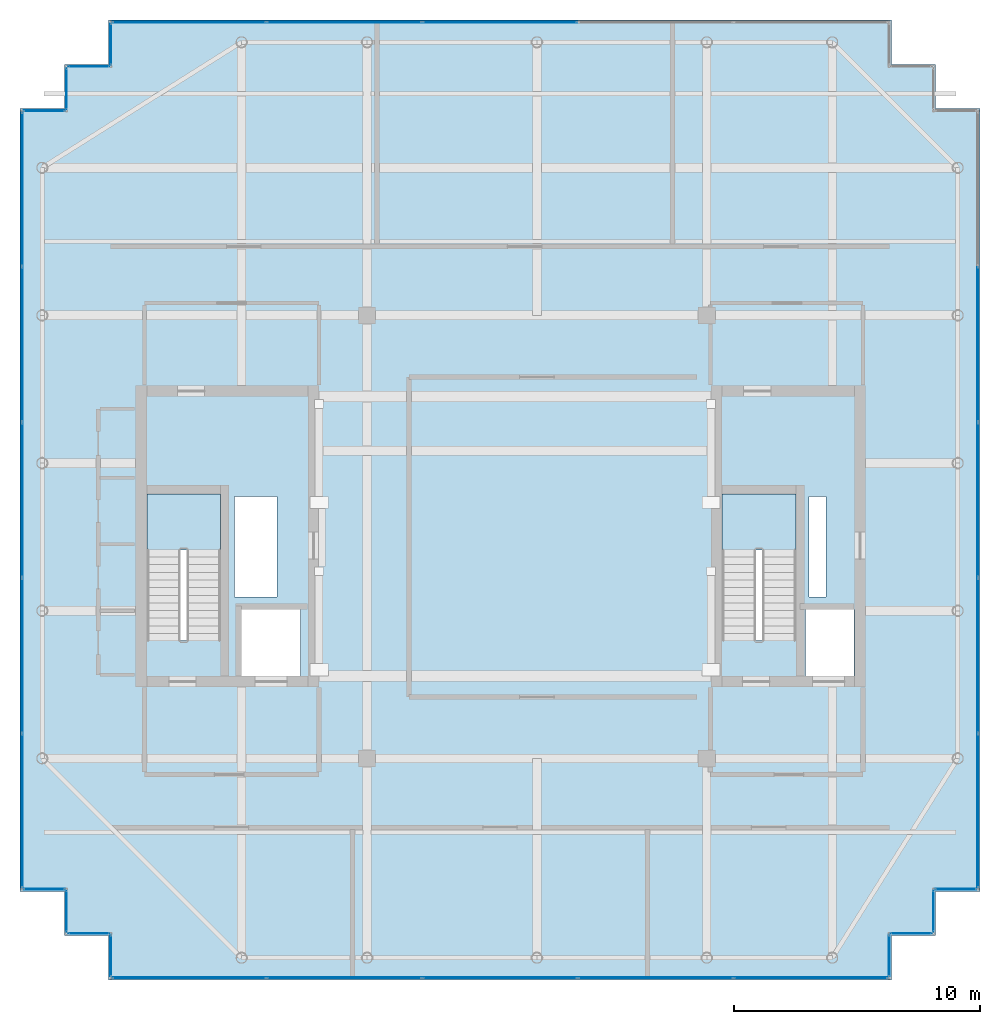
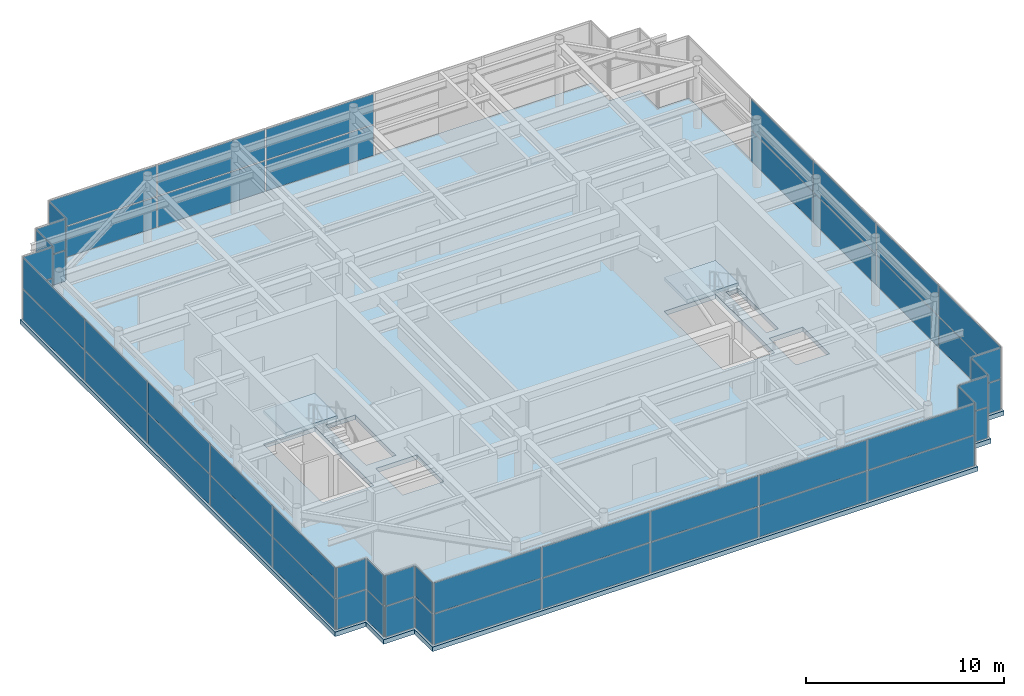
# One storey, part 29 of 33: 58 plates, 3 slabs, 18 elements without a shape of their own.
"""IFC4 building model written with IfcOpenShell, lengths in metres."""

from ifc_helpers import new_model, si_unit, direction, frame, origin, origin_2d, place, context, subcontext, project, spatial, polyline, rectangle, outline, extrude, source, transform, mapped, material, layer, layer_set, type_object, element, aggregate, save


model = new_model("IFC4")

# Units and contexts
model_context = context("Model", 3, precision=1e-05, world=origin(), true_north=direction((0.0, 1.0)))
body_context = subcontext(model_context, "Body", "Model", "MODEL_VIEW")
ifc_project = project(units=[si_unit("LENGTHUNIT", "METRE"), si_unit("AREAUNIT", "SQUARE_METRE"), si_unit("VOLUMEUNIT", "CUBIC_METRE"), si_unit("PLANEANGLEUNIT", "RADIAN"), si_unit("MASSUNIT", "GRAM", prefix="KILO")], contexts=[model_context])

# Site, building, storey
site_placement = place(None, origin())
site = spatial("IfcSite", under=ifc_project, at=site_placement, CompositionType="ELEMENT")
building_placement = place(site_placement, origin())
building = spatial("IfcBuilding", under=site, at=building_placement, Name="Khoralis Quay Care Tower", CompositionType="ELEMENT")
storey_placement = place(building_placement, frame((0.0, 0.0, 302.10009765625)))
storey = spatial("IfcBuildingStorey", under=building, at=storey_placement, Name="L79", CompositionType="ELEMENT", Elevation=302.10009765625)

# Stair, slab
ifc_material_1 = material(Name="Precast concrete C45/55", Category="concrete")
stair_type = type_object("IfcStairType", Name="ST-TWR-DOGLEG-1400", PredefinedType="HALF_TURN_STAIR", material=ifc_material_1)
stair_1_placement = place(storey_placement, origin())
stair_1 = element("IfcStair", 1, at=stair_1_placement, inside=storey, type_object=stair_type, Name="L79 West Core Exit Stair ST-T1", PredefinedType="HALF_TURN_STAIR")
ifc_layer_1 = layer(ifc_material_1, 0.199951171875)
ifc_layer_set_1 = layer_set([ifc_layer_1], Name="Precast concrete C45/55")
slab_type_1 = type_object("IfcSlabType", Name="SLB-LANDING-200", PredefinedType="LANDING", material=ifc_layer_set_1)
slab_1_placement = place(storey_placement, frame((0.0, 0.0, 1.89990234375)))
slab_1 = element("IfcSlab", 2, at=slab_1_placement, type_object=slab_type_1, Name="ST-T1 landing 1", PredefinedType="LANDING", context=body_context, shape_type="SweptSolid", body=[
    extrude(outline(polyline([(11.14990234375, 20.4599609375), (11.14990234375, 22.75), (8.14990234375, 22.75), (8.14990234375, 20.4599609375), (11.14990234375, 20.4599609375)])), origin(), (0.0, 0.0, 1.0), 0.199951171875),
])
aggregate(stair_1, [slab_1])

stair_2_placement = place(storey_placement, origin())
stair_2 = element("IfcStair", 3, at=stair_2_placement, inside=storey, type_object=stair_type, Name="L79 East Core Exit Stair ST-T2", PredefinedType="HALF_TURN_STAIR")
slab_2_placement = place(storey_placement, frame((0.0, 0.0, 1.89990234375)))
slab_2 = element("IfcSlab", 4, at=slab_2_placement, type_object=slab_type_1, Name="ST-T2 landing 1", PredefinedType="LANDING", context=body_context, shape_type="SweptSolid", body=[
    extrude(outline(polyline([(34.52001953125, 20.4599609375), (34.52001953125, 22.75), (31.52001953125, 22.75), (31.52001953125, 20.4599609375), (34.52001953125, 20.4599609375)])), origin(), (0.0, 0.0, 1.0), 0.199951171875),
])
aggregate(stair_2, [slab_2])

# Slab
ifc_material_2 = material(Name="Concrete C40/50", Category="concrete")
ifc_layer_2 = layer(ifc_material_2, 0.280029296875)
ifc_layer_set_2 = layer_set([ifc_layer_2], Name="Concrete C40/50")
slab_type_2 = type_object("IfcSlabType", Name="SLB-TWR-280", PredefinedType="FLOOR", material=ifc_layer_set_2)
slab_3_placement = place(storey_placement, frame((0.0, 0.0, -0.280029296875)))
element("IfcSlab", 5, at=slab_3_placement, inside=storey, type_object=slab_type_2, Name="Tower Floor Slab L79", PredefinedType="FLOOR", context=body_context, shape_type="SweptSolid", body=[
    extrude(outline(polyline([(6.60009765625, 3.0), (38.39990234375, 3.0), (38.39990234375, 4.800048828125), (40.199951171875, 4.800048828125), (40.199951171875, 6.60009765625), (42.0, 6.60009765625), (42.0, 38.39990234375), (40.199951171875, 38.39990234375), (40.199951171875, 40.199951171875), (38.39990234375, 40.199951171875), (38.39990234375, 42.0), (6.60009765625, 42.0), (6.60009765625, 40.199951171875), (4.800048828125, 40.199951171875), (4.800048828125, 38.39990234375), (3.0, 38.39990234375), (3.0, 6.60009765625), (4.800048828125, 6.60009765625), (4.800048828125, 4.800048828125), (6.60009765625, 4.800048828125), (6.60009765625, 3.0)]), holes=[polyline([(11.14990234375, 16.800048828125), (11.14990234375, 22.75), (8.14990234375, 22.75), (8.14990234375, 16.800048828125), (11.14990234375, 16.800048828125)]), polyline([(34.52001953125, 16.800048828125), (34.52001953125, 22.75), (31.52001953125, 22.75), (31.52001953125, 16.800048828125), (34.52001953125, 16.800048828125)]), polyline([(12.0, 15.35009765625), (14.39990234375, 15.35009765625), (14.39990234375, 18.050048828125), (12.0, 18.050048828125), (12.0, 15.35009765625)]), polyline([(34.919921875, 15.35009765625), (36.8798828125, 15.35009765625), (36.8798828125, 18.050048828125), (34.919921875, 18.050048828125), (34.919921875, 15.35009765625)]), polyline([(11.719970703125, 18.550048828125), (13.449951171875, 18.550048828125), (13.449951171875, 22.64990234375), (11.719970703125, 22.64990234375), (11.719970703125, 18.550048828125)]), polyline([(35.050048828125, 18.550048828125), (35.75, 18.550048828125), (35.75, 22.64990234375), (35.050048828125, 22.64990234375), (35.050048828125, 18.550048828125)])]), origin(), (0.0, 0.0, 1.0), 0.280029296875),
])

# Curtain wall, plates
ifc_material_3 = material(Name="Pale anodised aluminium", Category="aluminium")
ifc_layer_3 = layer(ifc_material_3, 0.199951171875)
ifc_layer_set_3 = layer_set([ifc_layer_3], Name="Pale anodised aluminium")
curtain_wall_type = type_object("IfcCurtainWallType", Name="CW-SYS-LANTERN", PredefinedType="NOTDEFINED", material=ifc_layer_set_3)
curtain_wall_1_placement = place(storey_placement, origin())
curtain_wall_1 = element("IfcCurtainWall", 6, at=curtain_wall_1_placement, inside=storey, type_object=curtain_wall_type, Name="L79 Unitised Curtain Wall CW-LN-L79-01", PredefinedType="NOTDEFINED")
ifc_material_4 = material(Name="Low-iron clear lantern glazing", Category="glass")
ifc_layer_4 = layer(ifc_material_4, 0.035888671875)
ifc_layer_set_4 = layer_set([ifc_layer_4], Name="Low-iron clear lantern glazing")
plate_type = type_object("IfcPlateType", Name="PNL-LNT-36", PredefinedType="CURTAIN_PANEL", material=ifc_layer_set_4)
shared_shape_1 = source(origin(), body_context, "Body", "SweptSolid", [
    extrude(rectangle(XDim=6.23388671875, YDim=0.028076171875, at=origin_2d()), origin(), (0.0, 0.0, 1.0), 1.8701171875),
])
plate_1_placement = place(storey_placement, frame((9.866943359375, 3.090087890625, 0.059814453125), z_axis=(0.0, 0.0, 1.0), x_axis=(1.0, 0.0, 0.0)))
plate_1 = element("IfcPlate", 7, at=plate_1_placement, type_object=plate_type, Name="CW5 panel 1.1", PredefinedType="CURTAIN_PANEL", context=body_context, shape_type="MappedRepresentation", body=[
    mapped(shared_shape_1, transform((0.0, 0.0, 0.0), scale=1.0)),
])
plate_2_placement = place(storey_placement, frame((9.866943359375, 3.090087890625, 1.98974609375), z_axis=(0.0, 0.0, 1.0), x_axis=(1.0, 0.0, 0.0)))
plate_2 = element("IfcPlate", 8, at=plate_2_placement, type_object=plate_type, Name="CW5 panel 1.2", PredefinedType="CURTAIN_PANEL", context=body_context, shape_type="MappedRepresentation", body=[
    mapped(shared_shape_1, transform((0.0, 0.0, 0.0), scale=1.0)),
])
plate_3_placement = place(storey_placement, frame((35.133056640625, 3.090087890625, 0.059814453125), z_axis=(0.0, 0.0, 1.0), x_axis=(1.0, 0.0, 0.0)))
plate_3 = element("IfcPlate", 9, at=plate_3_placement, type_object=plate_type, Name="CW5 panel 5.1", PredefinedType="CURTAIN_PANEL", context=body_context, shape_type="MappedRepresentation", body=[
    mapped(shared_shape_1, transform((0.0, 0.0, 0.0), scale=1.0)),
])
plate_4_placement = place(storey_placement, frame((35.133056640625, 3.090087890625, 1.98974609375), z_axis=(0.0, 0.0, 1.0), x_axis=(1.0, 0.0, 0.0)))
plate_4 = element("IfcPlate", 10, at=plate_4_placement, type_object=plate_type, Name="CW5 panel 5.2", PredefinedType="CURTAIN_PANEL", context=body_context, shape_type="MappedRepresentation", body=[
    mapped(shared_shape_1, transform((0.0, 0.0, 0.0), scale=1.0)),
])

curtain_wall_2_placement = place(storey_placement, origin())
curtain_wall_2 = element("IfcCurtainWall", 11, at=curtain_wall_2_placement, inside=storey, type_object=curtain_wall_type, Name="L79 Unitised Curtain Wall CW-LN-L79-06", PredefinedType="NOTDEFINED")
plate_5_placement = place(storey_placement, frame((41.909912109375, 9.866943359375, 0.059814453125), z_axis=(0.0, 0.0, 1.0), x_axis=(0.0, 1.0, 0.0)))
plate_5 = element("IfcPlate", 12, at=plate_5_placement, type_object=plate_type, Name="CW5 panel 1.1", PredefinedType="CURTAIN_PANEL", context=body_context, shape_type="MappedRepresentation", body=[
    mapped(shared_shape_1, transform((0.0, 0.0, 0.0), scale=1.0)),
])
plate_6_placement = place(storey_placement, frame((41.909912109375, 9.866943359375, 1.98974609375), z_axis=(0.0, 0.0, 1.0), x_axis=(0.0, 1.0, 0.0)))
plate_6 = element("IfcPlate", 13, at=plate_6_placement, type_object=plate_type, Name="CW5 panel 1.2", PredefinedType="CURTAIN_PANEL", context=body_context, shape_type="MappedRepresentation", body=[
    mapped(shared_shape_1, transform((0.0, 0.0, 0.0), scale=1.0)),
])

curtain_wall_3_placement = place(storey_placement, origin())
curtain_wall_3 = element("IfcCurtainWall", 14, at=curtain_wall_3_placement, inside=storey, type_object=curtain_wall_type, Name="L79 Unitised Curtain Wall CW-LN-L79-11", PredefinedType="NOTDEFINED")
plate_7_placement = place(storey_placement, frame((9.866943359375, 41.909912109375, 0.059814453125), z_axis=(0.0, 0.0, 1.0), x_axis=(-1.0, 0.0, 0.0)))
plate_7 = element("IfcPlate", 15, at=plate_7_placement, type_object=plate_type, Name="CW5 panel 5.1", PredefinedType="CURTAIN_PANEL", context=body_context, shape_type="MappedRepresentation", body=[
    mapped(shared_shape_1, transform((0.0, 0.0, 0.0), scale=1.0)),
])
plate_8_placement = place(storey_placement, frame((9.866943359375, 41.909912109375, 1.98974609375), z_axis=(0.0, 0.0, 1.0), x_axis=(-1.0, 0.0, 0.0)))
plate_8 = element("IfcPlate", 16, at=plate_8_placement, type_object=plate_type, Name="CW5 panel 5.2", PredefinedType="CURTAIN_PANEL", context=body_context, shape_type="MappedRepresentation", body=[
    mapped(shared_shape_1, transform((0.0, 0.0, 0.0), scale=1.0)),
])

curtain_wall_4_placement = place(storey_placement, origin())
curtain_wall_4 = element("IfcCurtainWall", 17, at=curtain_wall_4_placement, inside=storey, type_object=curtain_wall_type, Name="L79 Unitised Curtain Wall CW-LN-L79-16", PredefinedType="NOTDEFINED")
plate_9_placement = place(storey_placement, frame((3.090087890625, 35.133056640625, 0.059814453125), z_axis=(0.0, 0.0, 1.0), x_axis=(0.0, -1.0, 0.0)))
plate_9 = element("IfcPlate", 18, at=plate_9_placement, type_object=plate_type, Name="CW5 panel 1.1", PredefinedType="CURTAIN_PANEL", context=body_context, shape_type="MappedRepresentation", body=[
    mapped(shared_shape_1, transform((0.0, 0.0, 0.0), scale=1.0)),
])
plate_10_placement = place(storey_placement, frame((3.090087890625, 35.133056640625, 1.98974609375), z_axis=(0.0, 0.0, 1.0), x_axis=(0.0, -1.0, 0.0)))
plate_10 = element("IfcPlate", 19, at=plate_10_placement, type_object=plate_type, Name="CW5 panel 1.2", PredefinedType="CURTAIN_PANEL", context=body_context, shape_type="MappedRepresentation", body=[
    mapped(shared_shape_1, transform((0.0, 0.0, 0.0), scale=1.0)),
])
plate_11_placement = place(storey_placement, frame((3.090087890625, 9.866943359375, 0.059814453125), z_axis=(0.0, 0.0, 1.0), x_axis=(0.0, -1.0, 0.0)))
plate_11 = element("IfcPlate", 20, at=plate_11_placement, type_object=plate_type, Name="CW5 panel 5.1", PredefinedType="CURTAIN_PANEL", context=body_context, shape_type="MappedRepresentation", body=[
    mapped(shared_shape_1, transform((0.0, 0.0, 0.0), scale=1.0)),
])
plate_12_placement = place(storey_placement, frame((3.090087890625, 9.866943359375, 1.98974609375), z_axis=(0.0, 0.0, 1.0), x_axis=(0.0, -1.0, 0.0)))
plate_12 = element("IfcPlate", 21, at=plate_12_placement, type_object=plate_type, Name="CW5 panel 5.2", PredefinedType="CURTAIN_PANEL", context=body_context, shape_type="MappedRepresentation", body=[
    mapped(shared_shape_1, transform((0.0, 0.0, 0.0), scale=1.0)),
])

# Plate
shared_shape_2 = source(origin(), body_context, "Body", "SweptSolid", [
    extrude(rectangle(XDim=6.263916015625, YDim=0.028076171875, at=origin_2d()), origin(), (0.0, 0.0, 1.0), 1.8701171875),
])
plate_13_placement = place(storey_placement, frame((16.176025390625, 3.090087890625, 0.059814453125), z_axis=(0.0, 0.0, 1.0), x_axis=(1.0, 0.0, 0.0)))
plate_13 = element("IfcPlate", 22, at=plate_13_placement, type_object=plate_type, Name="CW5 panel 2.1", PredefinedType="CURTAIN_PANEL", context=body_context, shape_type="MappedRepresentation", body=[
    mapped(shared_shape_2, transform((0.0, 0.0, 0.0), scale=1.0)),
])

plate_14_placement = place(storey_placement, frame((16.176025390625, 3.090087890625, 1.98974609375), z_axis=(0.0, 0.0, 1.0), x_axis=(1.0, 0.0, 0.0)))
plate_14 = element("IfcPlate", 23, at=plate_14_placement, type_object=plate_type, Name="CW5 panel 2.2", PredefinedType="CURTAIN_PANEL", context=body_context, shape_type="MappedRepresentation", body=[
    mapped(shared_shape_2, transform((0.0, 0.0, 0.0), scale=1.0)),
])

plate_15_placement = place(storey_placement, frame((22.5, 3.090087890625, 0.059814453125), z_axis=(0.0, 0.0, 1.0), x_axis=(1.0, 0.0, 0.0)))
plate_15 = element("IfcPlate", 24, at=plate_15_placement, type_object=plate_type, Name="CW5 panel 3.1", PredefinedType="CURTAIN_PANEL", context=body_context, shape_type="MappedRepresentation", body=[
    mapped(shared_shape_2, transform((0.0, 0.0, 0.0), scale=1.0)),
])

plate_16_placement = place(storey_placement, frame((22.5, 3.090087890625, 1.98974609375), z_axis=(0.0, 0.0, 1.0), x_axis=(1.0, 0.0, 0.0)))
plate_16 = element("IfcPlate", 25, at=plate_16_placement, type_object=plate_type, Name="CW5 panel 3.2", PredefinedType="CURTAIN_PANEL", context=body_context, shape_type="MappedRepresentation", body=[
    mapped(shared_shape_2, transform((0.0, 0.0, 0.0), scale=1.0)),
])

plate_17_placement = place(storey_placement, frame((28.823974609375, 3.090087890625, 0.059814453125), z_axis=(0.0, 0.0, 1.0), x_axis=(1.0, 0.0, 0.0)))
plate_17 = element("IfcPlate", 26, at=plate_17_placement, type_object=plate_type, Name="CW5 panel 4.1", PredefinedType="CURTAIN_PANEL", context=body_context, shape_type="MappedRepresentation", body=[
    mapped(shared_shape_2, transform((0.0, 0.0, 0.0), scale=1.0)),
])

plate_18_placement = place(storey_placement, frame((28.823974609375, 3.090087890625, 1.98974609375), z_axis=(0.0, 0.0, 1.0), x_axis=(1.0, 0.0, 0.0)))
plate_18 = element("IfcPlate", 27, at=plate_18_placement, type_object=plate_type, Name="CW5 panel 4.2", PredefinedType="CURTAIN_PANEL", context=body_context, shape_type="MappedRepresentation", body=[
    mapped(shared_shape_2, transform((0.0, 0.0, 0.0), scale=1.0)),
])

aggregate(curtain_wall_1, [plate_1, plate_2, plate_13, plate_14, plate_15, plate_16, plate_17, plate_18, plate_3, plate_4])

plate_19_placement = place(storey_placement, frame((41.909912109375, 16.176025390625, 0.059814453125), z_axis=(0.0, 0.0, 1.0), x_axis=(0.0, 1.0, 0.0)))
plate_19 = element("IfcPlate", 28, at=plate_19_placement, type_object=plate_type, Name="CW5 panel 2.1", PredefinedType="CURTAIN_PANEL", context=body_context, shape_type="MappedRepresentation", body=[
    mapped(shared_shape_2, transform((0.0, 0.0, 0.0), scale=1.0)),
])

plate_20_placement = place(storey_placement, frame((41.909912109375, 16.176025390625, 1.98974609375), z_axis=(0.0, 0.0, 1.0), x_axis=(0.0, 1.0, 0.0)))
plate_20 = element("IfcPlate", 29, at=plate_20_placement, type_object=plate_type, Name="CW5 panel 2.2", PredefinedType="CURTAIN_PANEL", context=body_context, shape_type="MappedRepresentation", body=[
    mapped(shared_shape_2, transform((0.0, 0.0, 0.0), scale=1.0)),
])

plate_21_placement = place(storey_placement, frame((41.909912109375, 22.5, 0.059814453125), z_axis=(0.0, 0.0, 1.0), x_axis=(0.0, 1.0, 0.0)))
plate_21 = element("IfcPlate", 30, at=plate_21_placement, type_object=plate_type, Name="CW5 panel 3.1", PredefinedType="CURTAIN_PANEL", context=body_context, shape_type="MappedRepresentation", body=[
    mapped(shared_shape_2, transform((0.0, 0.0, 0.0), scale=1.0)),
])

plate_22_placement = place(storey_placement, frame((41.909912109375, 22.5, 1.98974609375), z_axis=(0.0, 0.0, 1.0), x_axis=(0.0, 1.0, 0.0)))
plate_22 = element("IfcPlate", 31, at=plate_22_placement, type_object=plate_type, Name="CW5 panel 3.2", PredefinedType="CURTAIN_PANEL", context=body_context, shape_type="MappedRepresentation", body=[
    mapped(shared_shape_2, transform((0.0, 0.0, 0.0), scale=1.0)),
])

plate_23_placement = place(storey_placement, frame((41.909912109375, 28.823974609375, 0.059814453125), z_axis=(0.0, 0.0, 1.0), x_axis=(0.0, 1.0, 0.0)))
plate_23 = element("IfcPlate", 32, at=plate_23_placement, type_object=plate_type, Name="CW5 panel 4.1", PredefinedType="CURTAIN_PANEL", context=body_context, shape_type="MappedRepresentation", body=[
    mapped(shared_shape_2, transform((0.0, 0.0, 0.0), scale=1.0)),
])

plate_24_placement = place(storey_placement, frame((41.909912109375, 28.823974609375, 1.98974609375), z_axis=(0.0, 0.0, 1.0), x_axis=(0.0, 1.0, 0.0)))
plate_24 = element("IfcPlate", 33, at=plate_24_placement, type_object=plate_type, Name="CW5 panel 4.2", PredefinedType="CURTAIN_PANEL", context=body_context, shape_type="MappedRepresentation", body=[
    mapped(shared_shape_2, transform((0.0, 0.0, 0.0), scale=1.0)),
])

aggregate(curtain_wall_2, [plate_5, plate_6, plate_19, plate_20, plate_21, plate_22, plate_23, plate_24])

plate_25_placement = place(storey_placement, frame((22.5, 41.909912109375, 0.059814453125), z_axis=(0.0, 0.0, 1.0), x_axis=(-1.0, 0.0, 0.0)))
plate_25 = element("IfcPlate", 34, at=plate_25_placement, type_object=plate_type, Name="CW5 panel 3.1", PredefinedType="CURTAIN_PANEL", context=body_context, shape_type="MappedRepresentation", body=[
    mapped(shared_shape_2, transform((0.0, 0.0, 0.0), scale=1.0)),
])

plate_26_placement = place(storey_placement, frame((22.5, 41.909912109375, 1.98974609375), z_axis=(0.0, 0.0, 1.0), x_axis=(-1.0, 0.0, 0.0)))
plate_26 = element("IfcPlate", 35, at=plate_26_placement, type_object=plate_type, Name="CW5 panel 3.2", PredefinedType="CURTAIN_PANEL", context=body_context, shape_type="MappedRepresentation", body=[
    mapped(shared_shape_2, transform((0.0, 0.0, 0.0), scale=1.0)),
])

plate_27_placement = place(storey_placement, frame((16.176025390625, 41.909912109375, 0.059814453125), z_axis=(0.0, 0.0, 1.0), x_axis=(-1.0, 0.0, 0.0)))
plate_27 = element("IfcPlate", 36, at=plate_27_placement, type_object=plate_type, Name="CW5 panel 4.1", PredefinedType="CURTAIN_PANEL", context=body_context, shape_type="MappedRepresentation", body=[
    mapped(shared_shape_2, transform((0.0, 0.0, 0.0), scale=1.0)),
])

plate_28_placement = place(storey_placement, frame((16.176025390625, 41.909912109375, 1.98974609375), z_axis=(0.0, 0.0, 1.0), x_axis=(-1.0, 0.0, 0.0)))
plate_28 = element("IfcPlate", 37, at=plate_28_placement, type_object=plate_type, Name="CW5 panel 4.2", PredefinedType="CURTAIN_PANEL", context=body_context, shape_type="MappedRepresentation", body=[
    mapped(shared_shape_2, transform((0.0, 0.0, 0.0), scale=1.0)),
])

aggregate(curtain_wall_3, [plate_25, plate_26, plate_27, plate_28, plate_7, plate_8])

plate_29_placement = place(storey_placement, frame((3.090087890625, 28.823974609375, 0.059814453125), z_axis=(0.0, 0.0, 1.0), x_axis=(0.0, -1.0, 0.0)))
plate_29 = element("IfcPlate", 38, at=plate_29_placement, type_object=plate_type, Name="CW5 panel 2.1", PredefinedType="CURTAIN_PANEL", context=body_context, shape_type="MappedRepresentation", body=[
    mapped(shared_shape_2, transform((0.0, 0.0, 0.0), scale=1.0)),
])

plate_30_placement = place(storey_placement, frame((3.090087890625, 28.823974609375, 1.98974609375), z_axis=(0.0, 0.0, 1.0), x_axis=(0.0, -1.0, 0.0)))
plate_30 = element("IfcPlate", 39, at=plate_30_placement, type_object=plate_type, Name="CW5 panel 2.2", PredefinedType="CURTAIN_PANEL", context=body_context, shape_type="MappedRepresentation", body=[
    mapped(shared_shape_2, transform((0.0, 0.0, 0.0), scale=1.0)),
])

plate_31_placement = place(storey_placement, frame((3.090087890625, 22.5, 0.059814453125), z_axis=(0.0, 0.0, 1.0), x_axis=(0.0, -1.0, 0.0)))
plate_31 = element("IfcPlate", 40, at=plate_31_placement, type_object=plate_type, Name="CW5 panel 3.1", PredefinedType="CURTAIN_PANEL", context=body_context, shape_type="MappedRepresentation", body=[
    mapped(shared_shape_2, transform((0.0, 0.0, 0.0), scale=1.0)),
])

plate_32_placement = place(storey_placement, frame((3.090087890625, 22.5, 1.98974609375), z_axis=(0.0, 0.0, 1.0), x_axis=(0.0, -1.0, 0.0)))
plate_32 = element("IfcPlate", 41, at=plate_32_placement, type_object=plate_type, Name="CW5 panel 3.2", PredefinedType="CURTAIN_PANEL", context=body_context, shape_type="MappedRepresentation", body=[
    mapped(shared_shape_2, transform((0.0, 0.0, 0.0), scale=1.0)),
])

plate_33_placement = place(storey_placement, frame((3.090087890625, 16.176025390625, 0.059814453125), z_axis=(0.0, 0.0, 1.0), x_axis=(0.0, -1.0, 0.0)))
plate_33 = element("IfcPlate", 42, at=plate_33_placement, type_object=plate_type, Name="CW5 panel 4.1", PredefinedType="CURTAIN_PANEL", context=body_context, shape_type="MappedRepresentation", body=[
    mapped(shared_shape_2, transform((0.0, 0.0, 0.0), scale=1.0)),
])

plate_34_placement = place(storey_placement, frame((3.090087890625, 16.176025390625, 1.98974609375), z_axis=(0.0, 0.0, 1.0), x_axis=(0.0, -1.0, 0.0)))
plate_34 = element("IfcPlate", 43, at=plate_34_placement, type_object=plate_type, Name="CW5 panel 4.2", PredefinedType="CURTAIN_PANEL", context=body_context, shape_type="MappedRepresentation", body=[
    mapped(shared_shape_2, transform((0.0, 0.0, 0.0), scale=1.0)),
])

aggregate(curtain_wall_4, [plate_9, plate_10, plate_29, plate_30, plate_31, plate_32, plate_33, plate_34, plate_11, plate_12])

# Curtain wall, plates
curtain_wall_5_placement = place(storey_placement, origin())
curtain_wall_5 = element("IfcCurtainWall", 44, at=curtain_wall_5_placement, inside=storey, type_object=curtain_wall_type, Name="L79 Unitised Curtain Wall CW-LN-L79-02", PredefinedType="NOTDEFINED")
shared_shape_3 = source(origin(), body_context, "Body", "SweptSolid", [
    extrude(rectangle(XDim=1.679931640625, YDim=0.028076171875, at=origin_2d()), origin(), (0.0, 0.0, 1.0), 1.8701171875),
])
plate_35_placement = place(storey_placement, frame((38.31005859375, 3.989990234375, 0.059814453125), z_axis=(0.0, 0.0, 1.0), x_axis=(0.0, 1.0, 0.0)))
plate_35 = element("IfcPlate", 45, at=plate_35_placement, type_object=plate_type, Name="CW5 panel 1.1", PredefinedType="CURTAIN_PANEL", context=body_context, shape_type="MappedRepresentation", body=[
    mapped(shared_shape_3, transform((0.0, 0.0, 0.0), scale=1.0)),
])
plate_36_placement = place(storey_placement, frame((38.31005859375, 3.989990234375, 1.98974609375), z_axis=(0.0, 0.0, 1.0), x_axis=(0.0, 1.0, 0.0)))
plate_36 = element("IfcPlate", 46, at=plate_36_placement, type_object=plate_type, Name="CW5 panel 1.2", PredefinedType="CURTAIN_PANEL", context=body_context, shape_type="MappedRepresentation", body=[
    mapped(shared_shape_3, transform((0.0, 0.0, 0.0), scale=1.0)),
])
aggregate(curtain_wall_5, [plate_35, plate_36])

curtain_wall_6_placement = place(storey_placement, origin())
curtain_wall_6 = element("IfcCurtainWall", 47, at=curtain_wall_6_placement, inside=storey, type_object=curtain_wall_type, Name="L79 Unitised Curtain Wall CW-LN-L79-03", PredefinedType="NOTDEFINED")
plate_37_placement = place(storey_placement, frame((39.2099609375, 4.889892578125, 0.059814453125), z_axis=(0.0, 0.0, 1.0), x_axis=(1.0, 0.0, 0.0)))
plate_37 = element("IfcPlate", 48, at=plate_37_placement, type_object=plate_type, Name="CW5 panel 1.1", PredefinedType="CURTAIN_PANEL", context=body_context, shape_type="MappedRepresentation", body=[
    mapped(shared_shape_3, transform((0.0, 0.0, 0.0), scale=1.0)),
])
plate_38_placement = place(storey_placement, frame((39.2099609375, 4.889892578125, 1.98974609375), z_axis=(0.0, 0.0, 1.0), x_axis=(1.0, 0.0, 0.0)))
plate_38 = element("IfcPlate", 49, at=plate_38_placement, type_object=plate_type, Name="CW5 panel 1.2", PredefinedType="CURTAIN_PANEL", context=body_context, shape_type="MappedRepresentation", body=[
    mapped(shared_shape_3, transform((0.0, 0.0, 0.0), scale=1.0)),
])
aggregate(curtain_wall_6, [plate_37, plate_38])

curtain_wall_7_placement = place(storey_placement, origin())
curtain_wall_7 = element("IfcCurtainWall", 50, at=curtain_wall_7_placement, inside=storey, type_object=curtain_wall_type, Name="L79 Unitised Curtain Wall CW-LN-L79-04", PredefinedType="NOTDEFINED")
plate_39_placement = place(storey_placement, frame((40.110107421875, 5.7900390625, 0.059814453125), z_axis=(0.0, 0.0, 1.0), x_axis=(0.0, 1.0, 0.0)))
plate_39 = element("IfcPlate", 51, at=plate_39_placement, type_object=plate_type, Name="CW5 panel 1.1", PredefinedType="CURTAIN_PANEL", context=body_context, shape_type="MappedRepresentation", body=[
    mapped(shared_shape_3, transform((0.0, 0.0, 0.0), scale=1.0)),
])
plate_40_placement = place(storey_placement, frame((40.110107421875, 5.7900390625, 1.98974609375), z_axis=(0.0, 0.0, 1.0), x_axis=(0.0, 1.0, 0.0)))
plate_40 = element("IfcPlate", 52, at=plate_40_placement, type_object=plate_type, Name="CW5 panel 1.2", PredefinedType="CURTAIN_PANEL", context=body_context, shape_type="MappedRepresentation", body=[
    mapped(shared_shape_3, transform((0.0, 0.0, 0.0), scale=1.0)),
])
aggregate(curtain_wall_7, [plate_39, plate_40])

curtain_wall_8_placement = place(storey_placement, origin())
curtain_wall_8 = element("IfcCurtainWall", 53, at=curtain_wall_8_placement, inside=storey, type_object=curtain_wall_type, Name="L79 Unitised Curtain Wall CW-LN-L79-05", PredefinedType="NOTDEFINED")
plate_41_placement = place(storey_placement, frame((41.010009765625, 6.68994140625, 0.059814453125), z_axis=(0.0, 0.0, 1.0), x_axis=(1.0, 0.0, 0.0)))
plate_41 = element("IfcPlate", 54, at=plate_41_placement, type_object=plate_type, Name="CW5 panel 1.1", PredefinedType="CURTAIN_PANEL", context=body_context, shape_type="MappedRepresentation", body=[
    mapped(shared_shape_3, transform((0.0, 0.0, 0.0), scale=1.0)),
])
plate_42_placement = place(storey_placement, frame((41.010009765625, 6.68994140625, 1.98974609375), z_axis=(0.0, 0.0, 1.0), x_axis=(1.0, 0.0, 0.0)))
plate_42 = element("IfcPlate", 55, at=plate_42_placement, type_object=plate_type, Name="CW5 panel 1.2", PredefinedType="CURTAIN_PANEL", context=body_context, shape_type="MappedRepresentation", body=[
    mapped(shared_shape_3, transform((0.0, 0.0, 0.0), scale=1.0)),
])
aggregate(curtain_wall_8, [plate_41, plate_42])

curtain_wall_9_placement = place(storey_placement, origin())
curtain_wall_9 = element("IfcCurtainWall", 56, at=curtain_wall_9_placement, inside=storey, type_object=curtain_wall_type, Name="L79 Unitised Curtain Wall CW-LN-L79-12", PredefinedType="NOTDEFINED")
plate_43_placement = place(storey_placement, frame((6.68994140625, 41.010009765625, 0.059814453125), z_axis=(0.0, 0.0, 1.0), x_axis=(0.0, -1.0, 0.0)))
plate_43 = element("IfcPlate", 57, at=plate_43_placement, type_object=plate_type, Name="CW5 panel 1.1", PredefinedType="CURTAIN_PANEL", context=body_context, shape_type="MappedRepresentation", body=[
    mapped(shared_shape_3, transform((0.0, 0.0, 0.0), scale=1.0)),
])
plate_44_placement = place(storey_placement, frame((6.68994140625, 41.010009765625, 1.98974609375), z_axis=(0.0, 0.0, 1.0), x_axis=(0.0, -1.0, 0.0)))
plate_44 = element("IfcPlate", 58, at=plate_44_placement, type_object=plate_type, Name="CW5 panel 1.2", PredefinedType="CURTAIN_PANEL", context=body_context, shape_type="MappedRepresentation", body=[
    mapped(shared_shape_3, transform((0.0, 0.0, 0.0), scale=1.0)),
])
aggregate(curtain_wall_9, [plate_43, plate_44])

curtain_wall_10_placement = place(storey_placement, origin())
curtain_wall_10 = element("IfcCurtainWall", 59, at=curtain_wall_10_placement, inside=storey, type_object=curtain_wall_type, Name="L79 Unitised Curtain Wall CW-LN-L79-13", PredefinedType="NOTDEFINED")
plate_45_placement = place(storey_placement, frame((5.7900390625, 40.110107421875, 0.059814453125), z_axis=(0.0, 0.0, 1.0), x_axis=(-1.0, 0.0, 0.0)))
plate_45 = element("IfcPlate", 60, at=plate_45_placement, type_object=plate_type, Name="CW5 panel 1.1", PredefinedType="CURTAIN_PANEL", context=body_context, shape_type="MappedRepresentation", body=[
    mapped(shared_shape_3, transform((0.0, 0.0, 0.0), scale=1.0)),
])
plate_46_placement = place(storey_placement, frame((5.7900390625, 40.110107421875, 1.98974609375), z_axis=(0.0, 0.0, 1.0), x_axis=(-1.0, 0.0, 0.0)))
plate_46 = element("IfcPlate", 61, at=plate_46_placement, type_object=plate_type, Name="CW5 panel 1.2", PredefinedType="CURTAIN_PANEL", context=body_context, shape_type="MappedRepresentation", body=[
    mapped(shared_shape_3, transform((0.0, 0.0, 0.0), scale=1.0)),
])
aggregate(curtain_wall_10, [plate_45, plate_46])

curtain_wall_11_placement = place(storey_placement, origin())
curtain_wall_11 = element("IfcCurtainWall", 62, at=curtain_wall_11_placement, inside=storey, type_object=curtain_wall_type, Name="L79 Unitised Curtain Wall CW-LN-L79-14", PredefinedType="NOTDEFINED")
plate_47_placement = place(storey_placement, frame((4.889892578125, 39.2099609375, 0.059814453125), z_axis=(0.0, 0.0, 1.0), x_axis=(0.0, -1.0, 0.0)))
plate_47 = element("IfcPlate", 63, at=plate_47_placement, type_object=plate_type, Name="CW5 panel 1.1", PredefinedType="CURTAIN_PANEL", context=body_context, shape_type="MappedRepresentation", body=[
    mapped(shared_shape_3, transform((0.0, 0.0, 0.0), scale=1.0)),
])
plate_48_placement = place(storey_placement, frame((4.889892578125, 39.2099609375, 1.98974609375), z_axis=(0.0, 0.0, 1.0), x_axis=(0.0, -1.0, 0.0)))
plate_48 = element("IfcPlate", 64, at=plate_48_placement, type_object=plate_type, Name="CW5 panel 1.2", PredefinedType="CURTAIN_PANEL", context=body_context, shape_type="MappedRepresentation", body=[
    mapped(shared_shape_3, transform((0.0, 0.0, 0.0), scale=1.0)),
])
aggregate(curtain_wall_11, [plate_47, plate_48])

curtain_wall_12_placement = place(storey_placement, origin())
curtain_wall_12 = element("IfcCurtainWall", 65, at=curtain_wall_12_placement, inside=storey, type_object=curtain_wall_type, Name="L79 Unitised Curtain Wall CW-LN-L79-15", PredefinedType="NOTDEFINED")
plate_49_placement = place(storey_placement, frame((3.989990234375, 38.31005859375, 0.059814453125), z_axis=(0.0, 0.0, 1.0), x_axis=(-1.0, 0.0, 0.0)))
plate_49 = element("IfcPlate", 66, at=plate_49_placement, type_object=plate_type, Name="CW5 panel 1.1", PredefinedType="CURTAIN_PANEL", context=body_context, shape_type="MappedRepresentation", body=[
    mapped(shared_shape_3, transform((0.0, 0.0, 0.0), scale=1.0)),
])
plate_50_placement = place(storey_placement, frame((3.989990234375, 38.31005859375, 1.98974609375), z_axis=(0.0, 0.0, 1.0), x_axis=(-1.0, 0.0, 0.0)))
plate_50 = element("IfcPlate", 67, at=plate_50_placement, type_object=plate_type, Name="CW5 panel 1.2", PredefinedType="CURTAIN_PANEL", context=body_context, shape_type="MappedRepresentation", body=[
    mapped(shared_shape_3, transform((0.0, 0.0, 0.0), scale=1.0)),
])
aggregate(curtain_wall_12, [plate_49, plate_50])

curtain_wall_13_placement = place(storey_placement, origin())
curtain_wall_13 = element("IfcCurtainWall", 68, at=curtain_wall_13_placement, inside=storey, type_object=curtain_wall_type, Name="L79 Unitised Curtain Wall CW-LN-L79-17", PredefinedType="NOTDEFINED")
plate_51_placement = place(storey_placement, frame((3.989990234375, 6.68994140625, 0.059814453125), z_axis=(0.0, 0.0, 1.0), x_axis=(1.0, 0.0, 0.0)))
plate_51 = element("IfcPlate", 69, at=plate_51_placement, type_object=plate_type, Name="CW5 panel 1.1", PredefinedType="CURTAIN_PANEL", context=body_context, shape_type="MappedRepresentation", body=[
    mapped(shared_shape_3, transform((0.0, 0.0, 0.0), scale=1.0)),
])
plate_52_placement = place(storey_placement, frame((3.989990234375, 6.68994140625, 1.98974609375), z_axis=(0.0, 0.0, 1.0), x_axis=(1.0, 0.0, 0.0)))
plate_52 = element("IfcPlate", 70, at=plate_52_placement, type_object=plate_type, Name="CW5 panel 1.2", PredefinedType="CURTAIN_PANEL", context=body_context, shape_type="MappedRepresentation", body=[
    mapped(shared_shape_3, transform((0.0, 0.0, 0.0), scale=1.0)),
])
aggregate(curtain_wall_13, [plate_51, plate_52])

curtain_wall_14_placement = place(storey_placement, origin())
curtain_wall_14 = element("IfcCurtainWall", 71, at=curtain_wall_14_placement, inside=storey, type_object=curtain_wall_type, Name="L79 Unitised Curtain Wall CW-LN-L79-18", PredefinedType="NOTDEFINED")
plate_53_placement = place(storey_placement, frame((4.889892578125, 5.7900390625, 0.059814453125), z_axis=(0.0, 0.0, 1.0), x_axis=(0.0, -1.0, 0.0)))
plate_53 = element("IfcPlate", 72, at=plate_53_placement, type_object=plate_type, Name="CW5 panel 1.1", PredefinedType="CURTAIN_PANEL", context=body_context, shape_type="MappedRepresentation", body=[
    mapped(shared_shape_3, transform((0.0, 0.0, 0.0), scale=1.0)),
])
plate_54_placement = place(storey_placement, frame((4.889892578125, 5.7900390625, 1.98974609375), z_axis=(0.0, 0.0, 1.0), x_axis=(0.0, -1.0, 0.0)))
plate_54 = element("IfcPlate", 73, at=plate_54_placement, type_object=plate_type, Name="CW5 panel 1.2", PredefinedType="CURTAIN_PANEL", context=body_context, shape_type="MappedRepresentation", body=[
    mapped(shared_shape_3, transform((0.0, 0.0, 0.0), scale=1.0)),
])
aggregate(curtain_wall_14, [plate_53, plate_54])

curtain_wall_15_placement = place(storey_placement, origin())
curtain_wall_15 = element("IfcCurtainWall", 74, at=curtain_wall_15_placement, inside=storey, type_object=curtain_wall_type, Name="L79 Unitised Curtain Wall CW-LN-L79-19", PredefinedType="NOTDEFINED")
plate_55_placement = place(storey_placement, frame((5.7900390625, 4.889892578125, 0.059814453125), z_axis=(0.0, 0.0, 1.0), x_axis=(1.0, 0.0, 0.0)))
plate_55 = element("IfcPlate", 75, at=plate_55_placement, type_object=plate_type, Name="CW5 panel 1.1", PredefinedType="CURTAIN_PANEL", context=body_context, shape_type="MappedRepresentation", body=[
    mapped(shared_shape_3, transform((0.0, 0.0, 0.0), scale=1.0)),
])
plate_56_placement = place(storey_placement, frame((5.7900390625, 4.889892578125, 1.98974609375), z_axis=(0.0, 0.0, 1.0), x_axis=(1.0, 0.0, 0.0)))
plate_56 = element("IfcPlate", 76, at=plate_56_placement, type_object=plate_type, Name="CW5 panel 1.2", PredefinedType="CURTAIN_PANEL", context=body_context, shape_type="MappedRepresentation", body=[
    mapped(shared_shape_3, transform((0.0, 0.0, 0.0), scale=1.0)),
])
aggregate(curtain_wall_15, [plate_55, plate_56])

curtain_wall_16_placement = place(storey_placement, origin())
curtain_wall_16 = element("IfcCurtainWall", 77, at=curtain_wall_16_placement, inside=storey, type_object=curtain_wall_type, Name="L79 Unitised Curtain Wall CW-LN-L79-20", PredefinedType="NOTDEFINED")
plate_57_placement = place(storey_placement, frame((6.68994140625, 3.989990234375, 0.059814453125), z_axis=(0.0, 0.0, 1.0), x_axis=(0.0, -1.0, 0.0)))
plate_57 = element("IfcPlate", 78, at=plate_57_placement, type_object=plate_type, Name="CW5 panel 1.1", PredefinedType="CURTAIN_PANEL", context=body_context, shape_type="MappedRepresentation", body=[
    mapped(shared_shape_3, transform((0.0, 0.0, 0.0), scale=1.0)),
])
plate_58_placement = place(storey_placement, frame((6.68994140625, 3.989990234375, 1.98974609375), z_axis=(0.0, 0.0, 1.0), x_axis=(0.0, -1.0, 0.0)))
plate_58 = element("IfcPlate", 79, at=plate_58_placement, type_object=plate_type, Name="CW5 panel 1.2", PredefinedType="CURTAIN_PANEL", context=body_context, shape_type="MappedRepresentation", body=[
    mapped(shared_shape_3, transform((0.0, 0.0, 0.0), scale=1.0)),
])
aggregate(curtain_wall_16, [plate_57, plate_58])

save(model, "model.ifc")
